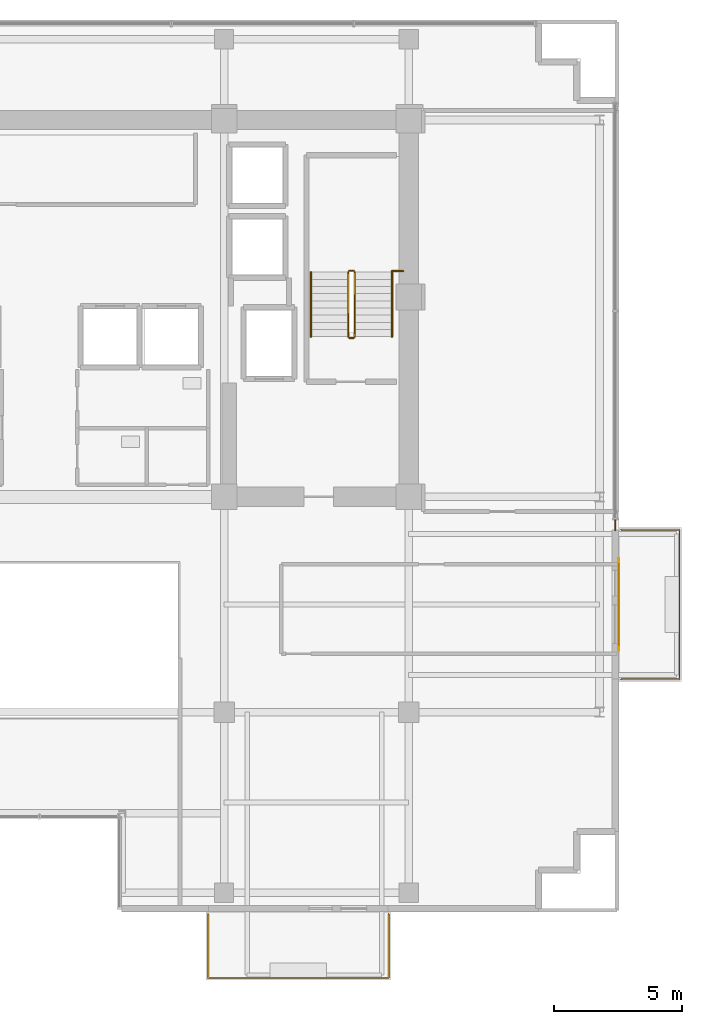
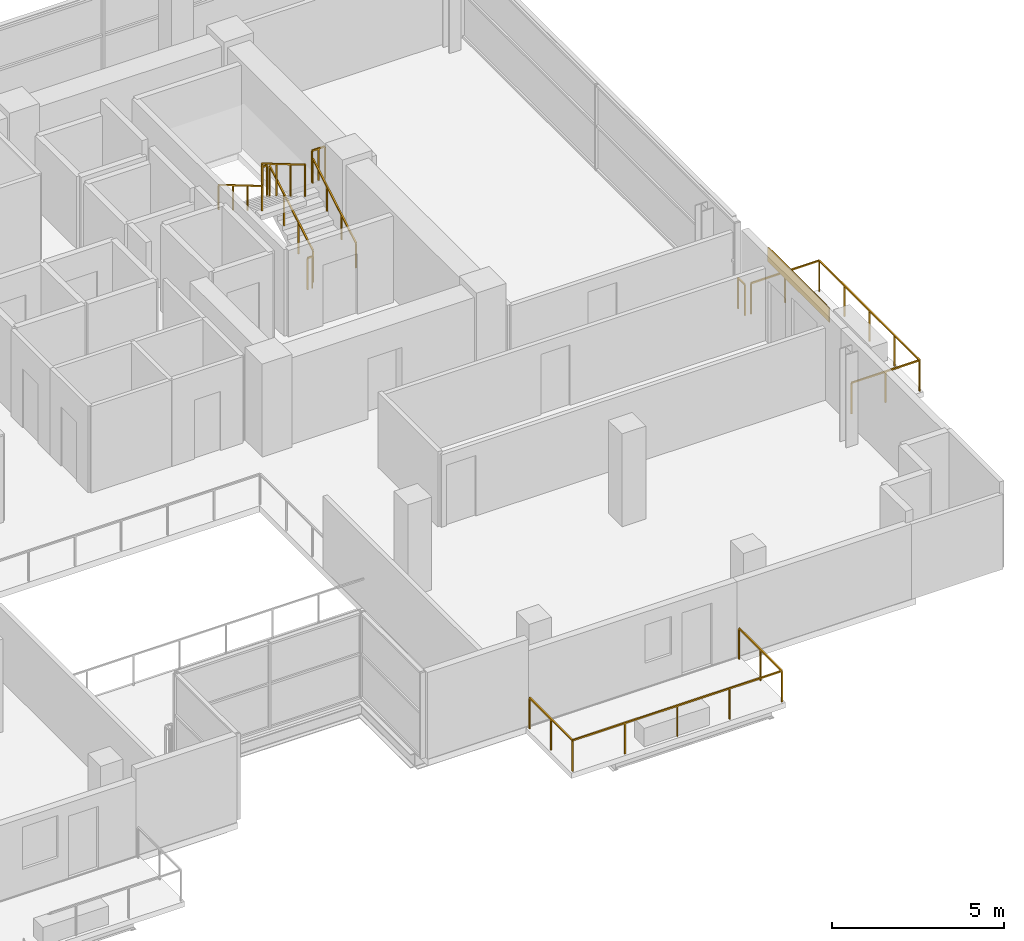
# One storey, part 24 of 25: 10 railings, 1 covering, 1 shading device.
"""IFC4 building model written with IfcOpenShell, lengths in metres."""

from ifc_helpers import new_model, si_unit, direction, frame, origin, origin_2d, place, context, subcontext, project, spatial, rectangle, extrude, source, transform, mapped, material, layer, layer_set, type_object, element, save


model = new_model("IFC4")

# Units and contexts
model_context = context("Model", 3, precision=1e-05, world=origin(), true_north=direction((0.0, 1.0)))
body_context = subcontext(model_context, "Body", "Model", "MODEL_VIEW")
ifc_project = project(units=[si_unit("LENGTHUNIT", "METRE"), si_unit("AREAUNIT", "SQUARE_METRE"), si_unit("VOLUMEUNIT", "CUBIC_METRE"), si_unit("PLANEANGLEUNIT", "RADIAN"), si_unit("MASSUNIT", "GRAM", prefix="KILO")], contexts=[model_context])

# Site, building, storey
site_placement = place(None, origin())
site = spatial("IfcSite", under=ifc_project, at=site_placement, CompositionType="ELEMENT")
building_placement = place(site_placement, origin())
building = spatial("IfcBuilding", under=site, at=building_placement, Name="Zarnakvel Exchange Tower", CompositionType="ELEMENT")
storey_placement = place(building_placement, frame((0.0, 0.0, 162.699951171875)))
storey = spatial("IfcBuildingStorey", under=building, at=storey_placement, Name="L45", CompositionType="ELEMENT", Elevation=162.699951171875)

# Railings
ifc_material_1 = material(Name="Architectural Bronze Anodised Aluminium", Category="aluminium")
railing_type_1 = type_object("IfcRailingType", Name="GR-02", PredefinedType="GUARDRAIL", material=ifc_material_1)
railing_1_placement = place(storey_placement, frame((6.580078125, -17.47998046875, -0.034912109375)))
element("IfcRailing", 1, at=railing_1_placement, inside=storey, type_object=railing_type_1, Name="L45 Balcony Guardrail BAL-L45-SE", PredefinedType="GUARDRAIL", context=body_context, shape_type="SweptSolid", body=[
    extrude(rectangle(XDim=0.048095703125, YDim=0.048095703125, at=origin_2d()), frame((0.0, 0.0, 1.09619140625), z_axis=(0.0, -1.0, 0.0), x_axis=(1.0, 0.0, 0.0)), (0.0, 0.0, 1.0), 2.489990234375),
    extrude(rectangle(XDim=0.048095703125, YDim=0.048095703125, at=origin_2d()), frame((0.0, -2.489990234375, 1.09619140625), z_axis=(1.0, 0.0, 0.0), x_axis=(0.0, 1.0, 0.0)), (0.0, 0.0, 1.0), 7.0400390625),
    extrude(rectangle(XDim=0.048095703125, YDim=0.048095703125, at=origin_2d()), frame((7.0400390625, -2.489990234375, 1.09619140625), z_axis=(0.0, 1.0, 0.0), x_axis=(-1.0, 0.0, 0.0)), (0.0, 0.0, 1.0), 2.489990234375),
    extrude(rectangle(XDim=0.0419921875, YDim=0.0419921875, at=origin_2d()), origin(), (0.0, 0.0, 1.0), 1.072021484375),
    extrude(rectangle(XDim=0.0419921875, YDim=0.0419921875, at=origin_2d()), frame((0.0, -1.2451171875, 0.0)), (0.0, 0.0, 1.0), 1.072021484375),
    extrude(rectangle(XDim=0.0419921875, YDim=0.0419921875, at=origin_2d()), frame((0.0, -2.489990234375, 0.0)), (0.0, 0.0, 1.0), 1.072021484375),
    extrude(rectangle(XDim=0.0419921875, YDim=0.0419921875, at=origin_2d()), frame((1.760009765625, -2.489990234375, 0.0)), (0.0, 0.0, 1.0), 1.072021484375),
    extrude(rectangle(XDim=0.0419921875, YDim=0.0419921875, at=origin_2d()), frame((3.52001953125, -2.489990234375, 0.0)), (0.0, 0.0, 1.0), 1.072021484375),
    extrude(rectangle(XDim=0.0419921875, YDim=0.0419921875, at=origin_2d()), frame((5.280029296875, -2.489990234375, 0.0)), (0.0, 0.0, 1.0), 1.072021484375),
    extrude(rectangle(XDim=0.0419921875, YDim=0.0419921875, at=origin_2d()), frame((7.0400390625, -2.489990234375, 0.0)), (0.0, 0.0, 1.0), 1.072021484375),
    extrude(rectangle(XDim=0.0419921875, YDim=0.0419921875, at=origin_2d()), frame((7.0400390625, -1.2451171875, 0.0)), (0.0, 0.0, 1.0), 1.072021484375),
    extrude(rectangle(XDim=0.0419921875, YDim=0.0419921875, at=origin_2d()), frame((7.0400390625, 0.0, 0.0)), (0.0, 0.0, 1.0), 1.072021484375),
])
railing_2_placement = place(storey_placement, frame((22.679931640625, -8.320068359375, -0.034912109375)))
element("IfcRailing", 2, at=railing_2_placement, inside=storey, type_object=railing_type_1, Name="L45 Balcony Guardrail BAL-L45-E", PredefinedType="GUARDRAIL", context=body_context, shape_type="SweptSolid", body=[
    extrude(rectangle(XDim=0.048095703125, YDim=0.048095703125, at=origin_2d()), frame((0.0, 0.0, 1.09619140625), z_axis=(1.0, 0.0, 0.0), x_axis=(0.0, 1.0, 0.0)), (0.0, 0.0, 1.0), 2.2900390625),
    extrude(rectangle(XDim=0.048095703125, YDim=0.048095703125, at=origin_2d()), frame((2.2900390625, 0.0, 1.09619140625), z_axis=(0.0, 1.0, 0.0), x_axis=(-1.0, 0.0, 0.0)), (0.0, 0.0, 1.0), 5.840087890625),
    extrude(rectangle(XDim=0.048095703125, YDim=0.048095703125, at=origin_2d()), frame((2.2900390625, 5.840087890625, 1.09619140625), z_axis=(-1.0, 0.0, 0.0), x_axis=(0.0, -1.0, 0.0)), (0.0, 0.0, 1.0), 2.2900390625),
    extrude(rectangle(XDim=0.0419921875, YDim=0.0419921875, at=origin_2d()), origin(), (0.0, 0.0, 1.0), 1.072021484375),
    extrude(rectangle(XDim=0.0419921875, YDim=0.0419921875, at=origin_2d()), frame((1.14501953125, 0.0, 0.0)), (0.0, 0.0, 1.0), 1.072021484375),
    extrude(rectangle(XDim=0.0419921875, YDim=0.0419921875, at=origin_2d()), frame((2.2900390625, 0.0, 0.0)), (0.0, 0.0, 1.0), 1.072021484375),
    extrude(rectangle(XDim=0.0419921875, YDim=0.0419921875, at=origin_2d()), frame((2.2900390625, 1.4599609375, 0.0)), (0.0, 0.0, 1.0), 1.072021484375),
    extrude(rectangle(XDim=0.0419921875, YDim=0.0419921875, at=origin_2d()), frame((2.2900390625, 2.919921875, 0.0)), (0.0, 0.0, 1.0), 1.072021484375),
    extrude(rectangle(XDim=0.0419921875, YDim=0.0419921875, at=origin_2d()), frame((2.2900390625, 4.380126953125, 0.0)), (0.0, 0.0, 1.0), 1.072021484375),
    extrude(rectangle(XDim=0.0419921875, YDim=0.0419921875, at=origin_2d()), frame((2.2900390625, 5.840087890625, 0.0)), (0.0, 0.0, 1.0), 1.072021484375),
    extrude(rectangle(XDim=0.0419921875, YDim=0.0419921875, at=origin_2d()), frame((1.14501953125, 5.840087890625, 0.0)), (0.0, 0.0, 1.0), 1.072021484375),
    extrude(rectangle(XDim=0.0419921875, YDim=0.0419921875, at=origin_2d()), frame((0.0, 5.840087890625, 0.0)), (0.0, 0.0, 1.0), 1.072021484375),
])
railing_3_placement = place(storey_placement, frame((22.4599609375, -2.10009765625, 0.0)))
element("IfcRailing", 3, at=railing_3_placement, inside=storey, type_object=railing_type_1, Name="L45 Corner Spandrel Balustrade #9", PredefinedType="GUARDRAIL", context=body_context, shape_type="SweptSolid", body=[
    extrude(rectangle(XDim=0.048095703125, YDim=0.048095703125, at=origin_2d()), frame((0.0, 0.0, 1.09619140625), z_axis=(0.0, -1.0, 0.0), x_axis=(1.0, 0.0, 0.0)), (0.0, 0.0, 1.0), 0.39990234375),
    extrude(rectangle(XDim=0.0419921875, YDim=0.0419921875, at=origin_2d()), origin(), (0.0, 0.0, 1.0), 1.072021484375),
    extrude(rectangle(XDim=0.0419921875, YDim=0.0419921875, at=origin_2d()), frame((0.0, -0.39990234375, 0.0)), (0.0, 0.0, 1.0), 1.072021484375),
])
ifc_material_2 = material(Name="Brushed Stainless Steel", Category="steel")
railing_type_2 = type_object("IfcRailingType", Name="HR-01", PredefinedType="HANDRAIL", material=ifc_material_2)
railing_4_placement = place(storey_placement, frame((13.75, 5.050048828125, 0.1650390625)))
element("IfcRailing", 4, at=railing_4_placement, inside=storey, type_object=railing_type_2, Name="L45 ST-02 stair handrail 1", PredefinedType="HANDRAIL", context=body_context, shape_type="SweptSolid", body=[
    extrude(rectangle(XDim=0.048095703125, YDim=0.048095703125, at=origin_2d()), frame((0.0, 0.0, 0.8759765625), z_axis=(0.0, 0.86152411907, 0.507716645641), x_axis=(-1.0, 0.0, 0.0)), (0.0, 0.0, 1.0), 2.925048828125),
    extrude(rectangle(XDim=0.0419921875, YDim=0.0419921875, at=origin_2d()), origin(), (0.0, 0.0, 1.0), 0.851806640625),
    extrude(rectangle(XDim=0.0419921875, YDim=0.0419921875, at=origin_2d()), frame((0.0, 0.840087890625, 0.4951171875)), (0.0, 0.0, 1.0), 0.851806640625),
    extrude(rectangle(XDim=0.0419921875, YDim=0.0419921875, at=origin_2d()), frame((0.0, 1.679931640625, 0.989990234375)), (0.0, 0.0, 1.0), 0.851806640625),
    extrude(rectangle(XDim=0.0419921875, YDim=0.0419921875, at=origin_2d()), frame((0.0, 2.52001953125, 1.485107421875)), (0.0, 0.0, 1.0), 0.851806640625),
])
railing_5_placement = place(storey_placement, frame((10.590087890625, 7.570068359375, 1.81494140625)))
element("IfcRailing", 5, at=railing_5_placement, inside=storey, type_object=railing_type_2, Name="L45 ST-02 stair handrail 2", PredefinedType="HANDRAIL", context=body_context, shape_type="SweptSolid", body=[
    extrude(rectangle(XDim=0.048095703125, YDim=0.048095703125, at=origin_2d()), frame((0.0, 0.0, 0.8759765625), z_axis=(0.0, -0.86152411907, 0.507716645641), x_axis=(1.0, 0.0, 0.0)), (0.0, 0.0, 1.0), 2.925048828125),
    extrude(rectangle(XDim=0.0419921875, YDim=0.0419921875, at=origin_2d()), origin(), (0.0, 0.0, 1.0), 0.851806640625),
    extrude(rectangle(XDim=0.0419921875, YDim=0.0419921875, at=origin_2d()), frame((0.0, -0.840087890625, 0.4951171875)), (0.0, 0.0, 1.0), 0.851806640625),
    extrude(rectangle(XDim=0.0419921875, YDim=0.0419921875, at=origin_2d()), frame((0.0, -1.679931640625, 0.989990234375)), (0.0, 0.0, 1.0), 0.851806640625),
    extrude(rectangle(XDim=0.0419921875, YDim=0.0419921875, at=origin_2d()), frame((0.0, -2.52001953125, 1.485107421875)), (0.0, 0.0, 1.0), 0.851806640625),
])
railing_type_3 = type_object("IfcRailingType", Name="SG-01", PredefinedType="GUARDRAIL", material=ifc_material_1)
railing_6_placement = place(storey_placement, frame((12.300048828125, 5.050048828125, 0.1650390625)))
element("IfcRailing", 6, at=railing_6_placement, inside=storey, type_object=railing_type_3, Name="L45 ST-02 stair guard 1", PredefinedType="GUARDRAIL", context=body_context, shape_type="SweptSolid", body=[
    extrude(rectangle(XDim=0.048095703125, YDim=0.048095703125, at=origin_2d()), frame((0.0, 0.0, 1.1259765625), z_axis=(0.0, 0.86152411907, 0.507716645641), x_axis=(-1.0, 0.0, 0.0)), (0.0, 0.0, 1.0), 2.925048828125),
    extrude(rectangle(XDim=0.0419921875, YDim=0.0419921875, at=origin_2d()), origin(), (0.0, 0.0, 1.0), 1.101806640625),
    extrude(rectangle(XDim=0.0419921875, YDim=0.0419921875, at=origin_2d()), frame((0.0, 0.840087890625, 0.4951171875)), (0.0, 0.0, 1.0), 1.101806640625),
    extrude(rectangle(XDim=0.0419921875, YDim=0.0419921875, at=origin_2d()), frame((0.0, 1.679931640625, 0.989990234375)), (0.0, 0.0, 1.0), 1.101806640625),
    extrude(rectangle(XDim=0.0419921875, YDim=0.0419921875, at=origin_2d()), frame((0.0, 2.52001953125, 1.485107421875)), (0.0, 0.0, 1.0), 1.101806640625),
])
railing_7_placement = place(storey_placement, frame((12.25, 7.6201171875, 1.650146484375)))
element("IfcRailing", 7, at=railing_7_placement, inside=storey, type_object=railing_type_3, Name="L45 ST-02 stair guard 2", PredefinedType="GUARDRAIL", context=body_context, shape_type="SweptSolid", body=[
    extrude(rectangle(XDim=0.048095703125, YDim=0.048095703125, at=origin_2d()), frame((0.0, 0.0, 1.1259765625), z_axis=(-1.0, 0.0, 0.0), x_axis=(0.0, -1.0, 0.0)), (0.0, 0.0, 1.0), 0.159912109375),
    extrude(rectangle(XDim=0.0419921875, YDim=0.0419921875, at=origin_2d()), origin(), (0.0, 0.0, 1.0), 1.101806640625),
    extrude(rectangle(XDim=0.0419921875, YDim=0.0419921875, at=origin_2d()), frame((-0.159912109375, 0.0, 0.0)), (0.0, 0.0, 1.0), 1.101806640625),
])
railing_8_placement = place(storey_placement, frame((12.0400390625, 7.570068359375, 1.81494140625)))
element("IfcRailing", 8, at=railing_8_placement, inside=storey, type_object=railing_type_3, Name="L45 ST-02 stair guard 3", PredefinedType="GUARDRAIL", context=body_context, shape_type="SweptSolid", body=[
    extrude(rectangle(XDim=0.048095703125, YDim=0.048095703125, at=origin_2d()), frame((0.0, 0.0, 1.1259765625), z_axis=(0.0, -0.86152411907, 0.507716645641), x_axis=(1.0, 0.0, 0.0)), (0.0, 0.0, 1.0), 2.925048828125),
    extrude(rectangle(XDim=0.0419921875, YDim=0.0419921875, at=origin_2d()), origin(), (0.0, 0.0, 1.0), 1.101806640625),
    extrude(rectangle(XDim=0.0419921875, YDim=0.0419921875, at=origin_2d()), frame((0.0, -0.840087890625, 0.4951171875)), (0.0, 0.0, 1.0), 1.101806640625),
    extrude(rectangle(XDim=0.0419921875, YDim=0.0419921875, at=origin_2d()), frame((0.0, -1.679931640625, 0.989990234375)), (0.0, 0.0, 1.0), 1.101806640625),
    extrude(rectangle(XDim=0.0419921875, YDim=0.0419921875, at=origin_2d()), frame((0.0, -2.52001953125, 1.485107421875)), (0.0, 0.0, 1.0), 1.101806640625),
])
railing_9_placement = place(storey_placement, frame((12.25, 5.0, 0.0)))
element("IfcRailing", 9, at=railing_9_placement, inside=storey, type_object=railing_type_3, Name="L45 ST-02 stair guard 4", PredefinedType="GUARDRAIL", context=body_context, shape_type="SweptSolid", body=[
    extrude(rectangle(XDim=0.048095703125, YDim=0.048095703125, at=origin_2d()), frame((0.0, 0.0, 1.1259765625), z_axis=(-1.0, 0.0, 0.0), x_axis=(0.0, -1.0, 0.0)), (0.0, 0.0, 1.0), 0.159912109375),
    extrude(rectangle(XDim=0.0419921875, YDim=0.0419921875, at=origin_2d()), origin(), (0.0, 0.0, 1.0), 1.101806640625),
    extrude(rectangle(XDim=0.0419921875, YDim=0.0419921875, at=origin_2d()), frame((-0.159912109375, 0.0, 0.0)), (0.0, 0.0, 1.0), 1.101806640625),
])
railing_10_placement = place(storey_placement, frame((13.75, 7.610107421875, 1.650146484375)))
element("IfcRailing", 10, at=railing_10_placement, inside=storey, type_object=railing_type_3, Name="L45 ST-02 Landing Slot Guardrail", PredefinedType="GUARDRAIL", context=body_context, shape_type="SweptSolid", body=[
    extrude(rectangle(XDim=0.048095703125, YDim=0.048095703125, at=origin_2d()), frame((0.0, 0.0, 1.1259765625), z_axis=(1.0, 0.0, 0.0), x_axis=(0.0, 1.0, 0.0)), (0.0, 0.0, 1.0), 0.429931640625),
    extrude(rectangle(XDim=0.0419921875, YDim=0.0419921875, at=origin_2d()), origin(), (0.0, 0.0, 1.0), 1.101806640625),
    extrude(rectangle(XDim=0.0419921875, YDim=0.0419921875, at=origin_2d()), frame((0.21484375, 0.0, 0.0)), (0.0, 0.0, 1.0), 1.101806640625),
    extrude(rectangle(XDim=0.0419921875, YDim=0.0419921875, at=origin_2d()), frame((0.429931640625, 0.0, 0.0)), (0.0, 0.0, 1.0), 1.101806640625),
])

# Covering
ifc_material_3 = material(Name="Warm Sandstone Terracotta Spandrel Tile", Category="masonry")
ifc_layer_1 = layer(ifc_material_3, 0.031982421875)
ifc_layer_set_1 = layer_set([ifc_layer_1], Name="Warm Sandstone Terracotta Spandrel Tile")
covering_type = type_object("IfcCoveringType", Name="CL-02", PredefinedType="CLADDING", material=ifc_layer_set_1)
shared_shape_1 = source(origin(), body_context, "Body", "SweptSolid", [
    extrude(rectangle(XDim=3.60009765625, YDim=0.031982421875, at=origin_2d()), origin(), (0.0, 0.0, 1.0), 0.4951171875),
])
covering_placement = place(storey_placement, frame((22.593994140625, -5.39990234375, 2.56005859375), z_axis=(0.0, 0.0, 1.0), x_axis=(0.0, -1.0, 0.0)))
element("IfcCovering", 11, at=covering_placement, inside=storey, type_object=covering_type, Name="L45 Ceramic Spandrel Tilework CL-02", PredefinedType="CLADDING", context=body_context, shape_type="MappedRepresentation", body=[
    mapped(shared_shape_1, transform((0.0, 0.0, 0.0), x_axis=(1.0, 0.0, 0.0), y_axis=(0.0, 1.0, 0.0), z_axis=(0.0, 0.0, 1.0), scale=1.0)),
])

# Shading device
ifc_material_4 = material(Name="Perforated Architectural Bronze Screen", Category="aluminium")
ifc_layer_2 = layer(ifc_material_4, 0.044921875)
ifc_layer_set_2 = layer_set([ifc_layer_2], Name="Perforated Architectural Bronze Screen")
shading_device_type = type_object("IfcShadingDeviceType", Name="SS-01", PredefinedType="JALOUSIE", material=ifc_layer_set_2)
shared_shape_2 = source(origin(), body_context, "Body", "SweptSolid", [
    extrude(rectangle(XDim=3.199951171875, YDim=0.044921875, at=origin_2d()), origin(), (0.0, 0.0, 1.0), 0.4951171875),
])
shading_device_placement = place(storey_placement, frame((22.6005859375, -5.39990234375, 2.56005859375), z_axis=(0.0, 0.0, 1.0), x_axis=(0.0, -1.0, 0.0)))
element("IfcShadingDevice", 12, at=shading_device_placement, inside=storey, type_object=shading_device_type, Name="L45 Bronze Solar Shading Screen SS-01", PredefinedType="JALOUSIE", context=body_context, shape_type="MappedRepresentation", body=[
    mapped(shared_shape_2, transform((0.0, 0.0, 0.0), x_axis=(1.0, 0.0, 0.0), y_axis=(0.0, 1.0, 0.0), z_axis=(0.0, 0.0, 1.0), scale=1.0)),
])

save(model, "model.ifc")
